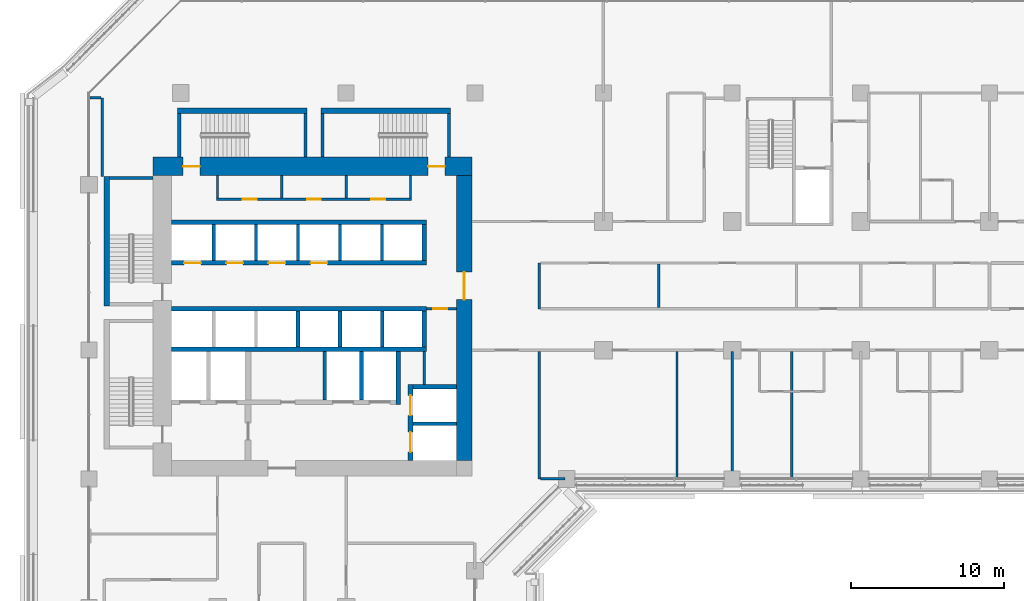
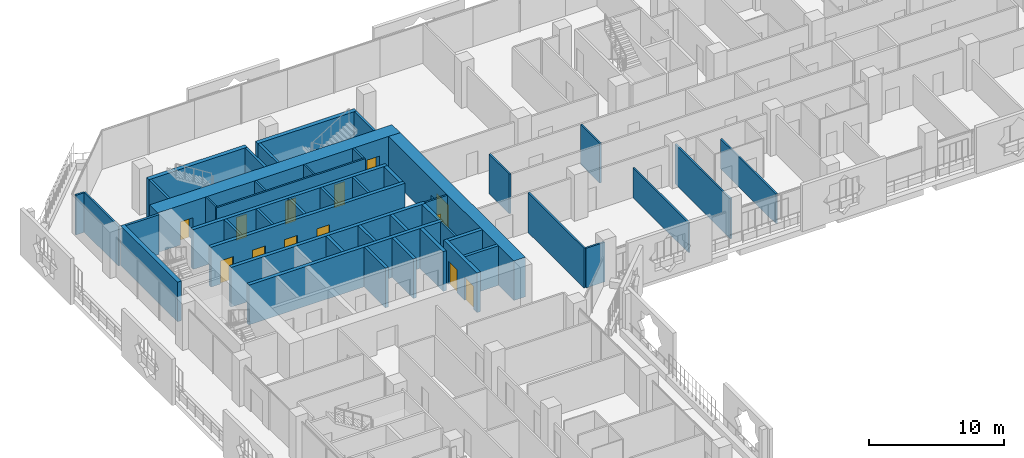
# One storey, part 14 of 25: 46 walls, 13 doors, 13 openings.
"""IFC4 building model written with IfcOpenShell, lengths in metres."""

from ifc_helpers import new_model, si_unit, direction, frame, frame_2d, origin, place, context, subcontext, project, spatial, rectangle, extrude, material, layer, layer_set, type_object, element, fill, save


model = new_model("IFC4")

# Units and contexts
model_context = context("Model", 3, precision=1e-05, world=origin(), true_north=direction((0.0, 1.0)))
body_context = subcontext(model_context, "Body", "Model", "MODEL_VIEW")
ifc_project = project(units=[si_unit("LENGTHUNIT", "METRE"), si_unit("AREAUNIT", "SQUARE_METRE"), si_unit("VOLUMEUNIT", "CUBIC_METRE"), si_unit("PLANEANGLEUNIT", "RADIAN"), si_unit("MASSUNIT", "GRAM", prefix="KILO")], contexts=[model_context])

# Site, building, storey
site_placement = place(None, origin())
site = spatial("IfcSite", under=ifc_project, at=site_placement, CompositionType="ELEMENT")
building_placement = place(site_placement, origin())
building = spatial("IfcBuilding", under=site, at=building_placement, Name="Kawkab Arch Medical Tower", CompositionType="ELEMENT")
storey_placement = place(building_placement, frame((0.0, 0.0, 124.0)))
storey = spatial("IfcBuildingStorey", under=building, at=storey_placement, Name="L28", CompositionType="ELEMENT", Elevation=124.0)

# Wall, opening, door
ifc_material_1 = material(Name="Concrete C60/75", Category="concrete")
ifc_layer_1 = layer(ifc_material_1, 1.0)
ifc_layer_set_1 = layer_set([ifc_layer_1], Name="Concrete C60/75")
wall_type_1 = type_object("IfcWallType", Name="Core ring wall 1000 C60/75", PredefinedType="SHEAR", material=ifc_layer_set_1)
wall_1_placement = place(storey_placement, frame((24.5, -24.0, 0.0), z_axis=(0.0, 0.0, 1.0), x_axis=(0.0, 1.0, 0.0)))
wall_1 = element("IfcWall", 1, at=wall_1_placement, inside=storey, type_object=wall_type_1, Name="L28 core wall", PredefinedType="SHEAR", context=body_context, shape_type="SweptSolid", body=[
    extrude(rectangle(XDim=18.60009765625, YDim=1.0, at=frame_2d((9.300048828125, 0.0))), origin(), (0.0, 0.0, 1.0), 3.60009765625),
])
opening_1_placement = place(wall_1_placement, frame((10.5, 0.0, 0.0)))
opening_1 = element("IfcOpeningElement", 2, at=opening_1_placement, cuts=wall_1, Name="Opening PD", PredefinedType="OPENING", context=body_context, shape_type="SweptSolid", body=[
    extrude(rectangle(XDim=1.800048828125, YDim=2.10009765625, at=frame_2d((0.89990234375, 1.050048828125))), frame((0.0, 0.510009765625, 0.0), z_axis=(0.0, -1.0, 0.0), x_axis=(1.0, 0.0, 0.0)), (0.0, 0.0, 1.0), 1.02001953125),
])
ifc_material_2 = material(Name="Hollow metal fire door leaf")
door_type_1 = type_object("IfcDoorType", Name="Core entrance doors 1800", OperationType="DOUBLE_DOOR_SINGLE_SWING", PredefinedType="DOOR", material=ifc_material_2)
door_1_placement = place(opening_1_placement, origin())
door_1 = element("IfcDoor", 3, at=door_1_placement, inside=storey, type_object=door_type_1, Name="L28 East entrance doors", OperationType="DOUBLE_DOOR_SINGLE_SWING", OverallHeight=2.10009765625, OverallWidth=1.800048828125, PredefinedType="DOOR", context=body_context, shape_type="SweptSolid", body=[
    extrude(rectangle(XDim=1.800048828125, YDim=2.10009765625, at=frame_2d((0.89990234375, 1.050048828125))), frame((0.0, 0.02490234375, 0.0), z_axis=(0.0, -1.0, 0.0), x_axis=(1.0, 0.0, 0.0)), (0.0, 0.0, 1.0), 0.050048828125),
])
fill(opening_1, door_1)

# Wall, openings, doors
ifc_material_3 = material(Name="Concrete C60/75", Category="concrete")
ifc_layer_2 = layer(ifc_material_3, 1.199951171875)
ifc_layer_set_2 = layer_set([ifc_layer_2], Name="Concrete C60/75")
wall_type_2 = type_object("IfcWallType", Name="Core ring wall 1200 C60/75", PredefinedType="SHEAR", material=ifc_layer_set_2)
wall_2_placement = place(storey_placement, frame((4.199951171875, -4.800048828125, 0.0), z_axis=(0.0, 0.0, 1.0), x_axis=(1.0, 0.0, 0.0)))
wall_2 = element("IfcWall", 4, at=wall_2_placement, inside=storey, type_object=wall_type_2, Name="L28 core wall", PredefinedType="SHEAR", context=body_context, shape_type="SweptSolid", body=[
    extrude(rectangle(XDim=20.800048828125, YDim=1.199951171875, at=frame_2d((10.39990234375, 0.0))), origin(), (0.0, 0.0, 1.0), 3.60009765625),
])
opening_2_placement = place(wall_2_placement, frame((1.949951171875, 0.0, 0.0)))
opening_2 = element("IfcOpeningElement", 5, at=opening_2_placement, cuts=wall_2, Name="Opening SD", PredefinedType="OPENING", context=body_context, shape_type="SweptSolid", body=[
    extrude(rectangle(XDim=1.10009765625, YDim=2.10009765625, at=frame_2d((0.550048828125, 1.050048828125))), frame((0.0, 0.60986328125, 0.0), z_axis=(0.0, -1.0, 0.0), x_axis=(1.0, 0.0, 0.0)), (0.0, 0.0, 1.0), 1.219970703125),
])
opening_3_placement = place(wall_2_placement, frame((17.949951171875, 0.0, 0.0)))
opening_3 = element("IfcOpeningElement", 6, at=opening_3_placement, cuts=wall_2, Name="Opening SD", PredefinedType="OPENING", context=body_context, shape_type="SweptSolid", body=[
    extrude(rectangle(XDim=1.10009765625, YDim=2.10009765625, at=frame_2d((0.550048828125, 1.050048828125))), frame((0.0, 0.60986328125, 0.0), z_axis=(0.0, -1.0, 0.0), x_axis=(1.0, 0.0, 0.0)), (0.0, 0.0, 1.0), 1.219970703125),
])
ifc_material_4 = material(Name="Hollow metal fire door leaf")
door_type_2 = type_object("IfcDoorType", Name="Exit stair door 1100", OperationType="SINGLE_SWING_LEFT", PredefinedType="DOOR", material=ifc_material_4)
door_2_placement = place(opening_2_placement, origin())
door_2 = element("IfcDoor", 7, at=door_2_placement, inside=storey, type_object=door_type_2, Name="L28 Exit stair ST3 door", OperationType="SINGLE_SWING_LEFT", OverallHeight=2.10009765625, OverallWidth=1.10009765625, PredefinedType="DOOR", context=body_context, shape_type="SweptSolid", body=[
    extrude(rectangle(XDim=1.10009765625, YDim=2.10009765625, at=frame_2d((0.550048828125, 1.050048828125))), frame((0.0, 0.02490234375, 0.0), z_axis=(0.0, -1.0, 0.0), x_axis=(1.0, 0.0, 0.0)), (0.0, 0.0, 1.0), 0.050048828125),
])
fill(opening_2, door_2)
door_3_placement = place(opening_3_placement, origin())
door_3 = element("IfcDoor", 8, at=door_3_placement, inside=storey, type_object=door_type_2, Name="L28 Exit stair ST4 door", OperationType="SINGLE_SWING_LEFT", OverallHeight=2.10009765625, OverallWidth=1.10009765625, PredefinedType="DOOR", context=body_context, shape_type="SweptSolid", body=[
    extrude(rectangle(XDim=1.10009765625, YDim=2.10009765625, at=frame_2d((0.550048828125, 1.050048828125))), frame((0.0, 0.02490234375, 0.0), z_axis=(0.0, -1.0, 0.0), x_axis=(1.0, 0.0, 0.0)), (0.0, 0.0, 1.0), 0.050048828125),
])
fill(opening_3, door_3)

# Wall
ifc_material_5 = material(Name="Gypsum board on steel studs", Category="steel")
ifc_layer_3 = layer(ifc_material_5, 0.14990234375)
ifc_layer_set_3 = layer_set([ifc_layer_3], Name="Gypsum board on steel studs")
wall_type_3 = type_object("IfcWallType", Name="Core room partition 150", PredefinedType="PARTITIONING", material=ifc_layer_set_3)
wall_3_placement = place(storey_placement, frame((21.89990234375, -19.050048828125, 0.0), z_axis=(0.0, 0.0, 1.0), x_axis=(0.0, 1.0, 0.0)))
element("IfcWall", 9, at=wall_3_placement, inside=storey, type_object=wall_type_3, Name="L28 core room partition", PredefinedType="PARTITIONING", context=body_context, shape_type="SweptSolid", body=[
    extrude(rectangle(XDim=2.150146484375, YDim=0.14990234375, at=frame_2d((1.0751953125, 0.0))), origin(), (0.0, 0.0, 1.0), 3.60009765625),
])

# Wall, opening, door
wall_4_placement = place(storey_placement, frame((22.050048828125, -14.10009765625, 0.0), z_axis=(0.0, 0.0, 1.0), x_axis=(1.0, 0.0, 0.0)))
wall_4 = element("IfcWall", 10, at=wall_4_placement, inside=storey, type_object=wall_type_3, Name="L28 core room partition", PredefinedType="PARTITIONING", context=body_context, shape_type="SweptSolid", body=[
    extrude(rectangle(XDim=1.949951171875, YDim=0.14990234375, at=frame_2d((0.97509765625, 0.0))), origin(), (0.0, 0.0, 1.0), 3.60009765625),
])
opening_4_placement = place(wall_4_placement, frame((0.449951171875, 0.0, 0.0)))
opening_4 = element("IfcOpeningElement", 11, at=opening_4_placement, cuts=wall_4, Name="Opening RD", PredefinedType="OPENING", context=body_context, shape_type="SweptSolid", body=[
    extrude(rectangle(XDim=0.89990234375, YDim=2.10009765625, at=frame_2d((0.449951171875, 1.050048828125))), frame((0.0, 0.0849609375, 0.0), z_axis=(0.0, -1.0, 0.0), x_axis=(1.0, 0.0, 0.0)), (0.0, 0.0, 1.0), 0.169921875),
])
ifc_material_6 = material(Name="Hollow metal fire door leaf")
door_type_3 = type_object("IfcDoorType", Name="Core room door 900", OperationType="SINGLE_SWING_LEFT", PredefinedType="DOOR", material=ifc_material_6)
door_4_placement = place(opening_4_placement, origin())
door_4 = element("IfcDoor", 12, at=door_4_placement, inside=storey, type_object=door_type_3, Name="L28 Housekeeping store door", OperationType="SINGLE_SWING_LEFT", OverallHeight=2.10009765625, OverallWidth=0.89990234375, PredefinedType="DOOR", context=body_context, shape_type="SweptSolid", body=[
    extrude(rectangle(XDim=0.89990234375, YDim=2.10009765625, at=frame_2d((0.449951171875, 1.050048828125))), frame((0.0, 0.02490234375, 0.0), z_axis=(0.0, -1.0, 0.0), x_axis=(1.0, 0.0, 0.0)), (0.0, 0.0, 1.0), 0.050048828125),
])
fill(opening_4, door_4)

# Wall, openings, doors
wall_5_placement = place(storey_placement, frame((8.324951171875, -6.949951171875, 0.0), z_axis=(0.0, 0.0, 1.0), x_axis=(1.0, 0.0, 0.0)))
wall_5 = element("IfcWall", 13, at=wall_5_placement, inside=storey, type_object=wall_type_3, Name="L28 core room partition", PredefinedType="PARTITIONING", context=body_context, shape_type="SweptSolid", body=[
    extrude(rectangle(XDim=12.75, YDim=0.14990234375, at=frame_2d((6.375, 0.0))), origin(), (0.0, 0.0, 1.0), 3.60009765625),
])
opening_5_placement = place(wall_5_placement, frame((1.72509765625, 0.0, 0.0)))
opening_5 = element("IfcOpeningElement", 14, at=opening_5_placement, cuts=wall_5, Name="Opening RD", PredefinedType="OPENING", context=body_context, shape_type="SweptSolid", body=[
    extrude(rectangle(XDim=0.89990234375, YDim=2.10009765625, at=frame_2d((0.449951171875, 1.050048828125))), frame((0.0, 0.0849609375, 0.0), z_axis=(0.0, -1.0, 0.0), x_axis=(1.0, 0.0, 0.0)), (0.0, 0.0, 1.0), 0.169921875),
])
opening_6_placement = place(wall_5_placement, frame((5.925048828125, 0.0, 0.0)))
opening_6 = element("IfcOpeningElement", 15, at=opening_6_placement, cuts=wall_5, Name="Opening RD", PredefinedType="OPENING", context=body_context, shape_type="SweptSolid", body=[
    extrude(rectangle(XDim=0.89990234375, YDim=2.10009765625, at=frame_2d((0.449951171875, 1.050048828125))), frame((0.0, 0.0849609375, 0.0), z_axis=(0.0, -1.0, 0.0), x_axis=(1.0, 0.0, 0.0)), (0.0, 0.0, 1.0), 0.169921875),
])
opening_7_placement = place(wall_5_placement, frame((10.125, 0.0, 0.0)))
opening_7 = element("IfcOpeningElement", 16, at=opening_7_placement, cuts=wall_5, Name="Opening RD", PredefinedType="OPENING", context=body_context, shape_type="SweptSolid", body=[
    extrude(rectangle(XDim=0.89990234375, YDim=2.10009765625, at=frame_2d((0.449951171875, 1.050048828125))), frame((0.0, 0.0849609375, 0.0), z_axis=(0.0, -1.0, 0.0), x_axis=(1.0, 0.0, 0.0)), (0.0, 0.0, 1.0), 0.169921875),
])
door_5_placement = place(opening_5_placement, origin())
door_5 = element("IfcDoor", 17, at=door_5_placement, inside=storey, type_object=door_type_3, Name="L28 Sprinkler valve room door", OperationType="SINGLE_SWING_LEFT", OverallHeight=2.10009765625, OverallWidth=0.89990234375, PredefinedType="DOOR", context=body_context, shape_type="SweptSolid", body=[
    extrude(rectangle(XDim=0.89990234375, YDim=2.10009765625, at=frame_2d((0.449951171875, 1.050048828125))), frame((0.0, 0.02490234375, 0.0), z_axis=(0.0, -1.0, 0.0), x_axis=(1.0, 0.0, 0.0)), (0.0, 0.0, 1.0), 0.050048828125),
])
fill(opening_5, door_5)
door_6_placement = place(opening_6_placement, origin())
door_6 = element("IfcDoor", 18, at=door_6_placement, inside=storey, type_object=door_type_3, Name="L28 Data room door", OperationType="SINGLE_SWING_LEFT", OverallHeight=2.10009765625, OverallWidth=0.89990234375, PredefinedType="DOOR", context=body_context, shape_type="SweptSolid", body=[
    extrude(rectangle(XDim=0.89990234375, YDim=2.10009765625, at=frame_2d((0.449951171875, 1.050048828125))), frame((0.0, 0.02490234375, 0.0), z_axis=(0.0, -1.0, 0.0), x_axis=(1.0, 0.0, 0.0)), (0.0, 0.0, 1.0), 0.050048828125),
])
fill(opening_6, door_6)
door_7_placement = place(opening_7_placement, origin())
door_7 = element("IfcDoor", 19, at=door_7_placement, inside=storey, type_object=door_type_3, Name="L28 Electrical riser room door", OperationType="SINGLE_SWING_LEFT", OverallHeight=2.10009765625, OverallWidth=0.89990234375, PredefinedType="DOOR", context=body_context, shape_type="SweptSolid", body=[
    extrude(rectangle(XDim=0.89990234375, YDim=2.10009765625, at=frame_2d((0.449951171875, 1.050048828125))), frame((0.0, 0.02490234375, 0.0), z_axis=(0.0, -1.0, 0.0), x_axis=(1.0, 0.0, 0.0)), (0.0, 0.0, 1.0), 0.050048828125),
])
fill(opening_7, door_7)

# Walls
for number, where, z_axis, x_axis, name in (
    (20, (8.39990234375, -6.875, 0.0), (0.0, 0.0, 1.0), (0.0, 1.0, 0.0), "L28 core room partition"),
    (21, (12.60009765625, -6.875, 0.0), (0.0, 0.0, 1.0), (0.0, 1.0, 0.0), "L28 core room partition"),
    (22, (16.800048828125, -6.875, 0.0), (0.0, 0.0, 1.0), (0.0, 1.0, 0.0), "L28 core room partition"),
    (23, (21.0, -6.875, 0.0), (0.0, 0.0, 1.0), (0.0, 1.0, 0.0), "L28 core room partition"),
):
    element("IfcWall", number, at=place(storey_placement, frame(where, z_axis=z_axis, x_axis=x_axis)), inside=storey, type_object=wall_type_3, Name=name, PredefinedType="PARTITIONING", context=body_context, shape_type="SweptSolid", body=[
        extrude(rectangle(XDim=1.47509765625, YDim=0.14990234375, at=frame_2d((0.737548828125, 0.0))), origin(), (0.0, 0.0, 1.0), 3.60009765625),
    ])
ifc_material_7 = material(Name="Concrete C60/75", Category="concrete")
ifc_layer_4 = layer(ifc_material_7, 0.25)
ifc_layer_set_4 = layer_set([ifc_layer_4], Name="Concrete C60/75")
wall_type_4 = type_object("IfcWallType", Name="Core shear wall 250 C60/75", PredefinedType="SHEAR", material=ifc_layer_set_4)
wall_6_placement = place(storey_placement, frame((21.14990234375, -21.60009765625, 0.0), z_axis=(0.0, 0.0, 1.0), x_axis=(1.0, 0.0, 0.0)))
element("IfcWall", 24, at=wall_6_placement, inside=storey, type_object=wall_type_4, Name="L28 core shear wall", PredefinedType="SHEAR", context=body_context, shape_type="SweptSolid", body=[
    extrude(rectangle(XDim=2.85009765625, YDim=0.25, at=frame_2d((1.425048828125, 0.0))), origin(), (0.0, 0.0, 1.0), 3.60009765625),
])
for number, where, z_axis, x_axis, name in (
    (25, (15.39990234375, -20.050048828125, 0.0), (0.0, 0.0, 1.0), (0.0, 1.0, 0.0), "L28 core shear wall"),
    (26, (17.800048828125, -20.050048828125, 0.0), (0.0, 0.0, 1.0), (0.0, 1.0, 0.0), "L28 core shear wall"),
):
    element("IfcWall", number, at=place(storey_placement, frame(where, z_axis=z_axis, x_axis=x_axis)), inside=storey, type_object=wall_type_4, Name=name, PredefinedType="SHEAR", context=body_context, shape_type="SweptSolid", body=[
        extrude(rectangle(XDim=3.150146484375, YDim=0.25, at=frame_2d((1.5751953125, 0.0))), origin(), (0.0, 0.0, 1.0), 3.60009765625),
    ])
for number, where, z_axis, x_axis, name in (
    (27, (13.64990234375, -16.60009765625, 0.0), (0.0, 0.0, 1.0), (0.0, 1.0, 0.0), "L28 core shear wall"),
    (28, (16.39990234375, -16.60009765625, 0.0), (0.0, 0.0, 1.0), (0.0, 1.0, 0.0), "L28 core shear wall"),
    (29, (19.14990234375, -16.60009765625, 0.0), (0.0, 0.0, 1.0), (0.0, 1.0, 0.0), "L28 core shear wall"),
):
    element("IfcWall", number, at=place(storey_placement, frame(where, z_axis=z_axis, x_axis=x_axis)), inside=storey, type_object=wall_type_4, Name=name, PredefinedType="SHEAR", context=body_context, shape_type="SweptSolid", body=[
        extrude(rectangle(XDim=2.35009765625, YDim=0.25, at=frame_2d((1.175048828125, 0.0))), origin(), (0.0, 0.0, 1.0), 3.60009765625),
    ])
ifc_material_8 = material(Name="Concrete C60/75", Category="concrete")
ifc_layer_5 = layer(ifc_material_8, 0.300048828125)
ifc_layer_set_5 = layer_set([ifc_layer_5], Name="Concrete C60/75")
wall_type_5 = type_object("IfcWallType", Name="Core shear wall 300 C60/75", PredefinedType="SHEAR", material=ifc_layer_set_5)
wall_7_placement = place(storey_placement, frame((5.39990234375, -8.449951171875, 0.0), z_axis=(0.0, 0.0, 1.0), x_axis=(1.0, 0.0, 0.0)))
element("IfcWall", 30, at=wall_7_placement, inside=storey, type_object=wall_type_5, Name="L28 core shear wall", PredefinedType="SHEAR", context=body_context, shape_type="SweptSolid", body=[
    extrude(rectangle(XDim=16.650146484375, YDim=0.300048828125, at=frame_2d((8.3251953125, 0.0))), origin(), (0.0, 0.0, 1.0), 3.60009765625),
])

# Wall, openings, doors
wall_8_placement = place(storey_placement, frame((5.39990234375, -11.10009765625, 0.0), z_axis=(0.0, 0.0, 1.0), x_axis=(1.0, 0.0, 0.0)))
wall_8 = element("IfcWall", 31, at=wall_8_placement, inside=storey, type_object=wall_type_5, Name="L28 core shear wall", PredefinedType="SHEAR", context=body_context, shape_type="SweptSolid", body=[
    extrude(rectangle(XDim=16.650146484375, YDim=0.300048828125, at=frame_2d((8.3251953125, 0.0))), origin(), (0.0, 0.0, 1.0), 3.60009765625),
])
opening_8_placement = place(wall_8_placement, frame((0.824951171875, 0.0, 0.0)))
opening_8 = element("IfcOpeningElement", 32, at=opening_8_placement, cuts=wall_8, Name="Opening LD1", PredefinedType="OPENING", context=body_context, shape_type="SweptSolid", body=[
    extrude(rectangle(XDim=1.10009765625, YDim=2.10009765625, at=frame_2d((0.550048828125, 1.050048828125))), frame((0.0, 0.159912109375, 0.0), z_axis=(0.0, -1.0, 0.0), x_axis=(1.0, 0.0, 0.0)), (0.0, 0.0, 1.0), 0.320068359375),
])
opening_9_placement = place(wall_8_placement, frame((3.574951171875, 0.0, 0.0)))
opening_9 = element("IfcOpeningElement", 33, at=opening_9_placement, cuts=wall_8, Name="Opening LD1", PredefinedType="OPENING", context=body_context, shape_type="SweptSolid", body=[
    extrude(rectangle(XDim=1.10009765625, YDim=2.10009765625, at=frame_2d((0.550048828125, 1.050048828125))), frame((0.0, 0.159912109375, 0.0), z_axis=(0.0, -1.0, 0.0), x_axis=(1.0, 0.0, 0.0)), (0.0, 0.0, 1.0), 0.320068359375),
])
opening_10_placement = place(wall_8_placement, frame((6.324951171875, 0.0, 0.0)))
opening_10 = element("IfcOpeningElement", 34, at=opening_10_placement, cuts=wall_8, Name="Opening LD1", PredefinedType="OPENING", context=body_context, shape_type="SweptSolid", body=[
    extrude(rectangle(XDim=1.10009765625, YDim=2.10009765625, at=frame_2d((0.550048828125, 1.050048828125))), frame((0.0, 0.159912109375, 0.0), z_axis=(0.0, -1.0, 0.0), x_axis=(1.0, 0.0, 0.0)), (0.0, 0.0, 1.0), 0.320068359375),
])
opening_11_placement = place(wall_8_placement, frame((9.074951171875, 0.0, 0.0)))
opening_11 = element("IfcOpeningElement", 35, at=opening_11_placement, cuts=wall_8, Name="Opening LD1", PredefinedType="OPENING", context=body_context, shape_type="SweptSolid", body=[
    extrude(rectangle(XDim=1.10009765625, YDim=2.10009765625, at=frame_2d((0.550048828125, 1.050048828125))), frame((0.0, 0.159912109375, 0.0), z_axis=(0.0, -1.0, 0.0), x_axis=(1.0, 0.0, 0.0)), (0.0, 0.0, 1.0), 0.320068359375),
])
ifc_material_9 = material(Name="Stainless steel lift door leaf", Category="steel")
door_type_4 = type_object("IfcDoorType", Name="Lift landing door 1100", OperationType="DOUBLE_DOOR_SLIDING", PredefinedType="DOOR", material=ifc_material_9)
door_8_placement = place(opening_8_placement, origin())
door_8 = element("IfcDoor", 36, at=door_8_placement, inside=storey, type_object=door_type_4, Name="L28 Lift landing door LP1", OperationType="DOUBLE_DOOR_SLIDING", OverallHeight=2.10009765625, OverallWidth=1.10009765625, PredefinedType="DOOR", context=body_context, shape_type="SweptSolid", body=[
    extrude(rectangle(XDim=1.10009765625, YDim=2.10009765625, at=frame_2d((0.550048828125, 1.050048828125))), frame((0.0, 0.02490234375, 0.0), z_axis=(0.0, -1.0, 0.0), x_axis=(1.0, 0.0, 0.0)), (0.0, 0.0, 1.0), 0.050048828125),
])
fill(opening_8, door_8)
door_9_placement = place(opening_9_placement, origin())
door_9 = element("IfcDoor", 37, at=door_9_placement, inside=storey, type_object=door_type_4, Name="L28 Lift landing door LP2", OperationType="DOUBLE_DOOR_SLIDING", OverallHeight=2.10009765625, OverallWidth=1.10009765625, PredefinedType="DOOR", context=body_context, shape_type="SweptSolid", body=[
    extrude(rectangle(XDim=1.10009765625, YDim=2.10009765625, at=frame_2d((0.550048828125, 1.050048828125))), frame((0.0, 0.02490234375, 0.0), z_axis=(0.0, -1.0, 0.0), x_axis=(1.0, 0.0, 0.0)), (0.0, 0.0, 1.0), 0.050048828125),
])
fill(opening_9, door_9)
door_10_placement = place(opening_10_placement, origin())
door_10 = element("IfcDoor", 38, at=door_10_placement, inside=storey, type_object=door_type_4, Name="L28 Lift landing door LP3", OperationType="DOUBLE_DOOR_SLIDING", OverallHeight=2.10009765625, OverallWidth=1.10009765625, PredefinedType="DOOR", context=body_context, shape_type="SweptSolid", body=[
    extrude(rectangle(XDim=1.10009765625, YDim=2.10009765625, at=frame_2d((0.550048828125, 1.050048828125))), frame((0.0, 0.02490234375, 0.0), z_axis=(0.0, -1.0, 0.0), x_axis=(1.0, 0.0, 0.0)), (0.0, 0.0, 1.0), 0.050048828125),
])
fill(opening_10, door_10)
door_11_placement = place(opening_11_placement, origin())
door_11 = element("IfcDoor", 39, at=door_11_placement, inside=storey, type_object=door_type_4, Name="L28 Lift landing door LP4", OperationType="DOUBLE_DOOR_SLIDING", OverallHeight=2.10009765625, OverallWidth=1.10009765625, PredefinedType="DOOR", context=body_context, shape_type="SweptSolid", body=[
    extrude(rectangle(XDim=1.10009765625, YDim=2.10009765625, at=frame_2d((0.550048828125, 1.050048828125))), frame((0.0, 0.02490234375, 0.0), z_axis=(0.0, -1.0, 0.0), x_axis=(1.0, 0.0, 0.0)), (0.0, 0.0, 1.0), 0.050048828125),
])
fill(opening_11, door_11)

# Walls
for number, where, z_axis, x_axis, name in (
    (40, (5.39990234375, -14.10009765625, 0.0), (0.0, 0.0, 1.0), (1.0, 0.0, 0.0), "L28 core shear wall"),
    (41, (5.39990234375, -16.75, 0.0), (0.0, 0.0, 1.0), (1.0, 0.0, 0.0), "L28 core shear wall"),
):
    element("IfcWall", number, at=place(storey_placement, frame(where, z_axis=z_axis, x_axis=x_axis)), inside=storey, type_object=wall_type_5, Name=name, PredefinedType="SHEAR", context=body_context, shape_type="SweptSolid", body=[
        extrude(rectangle(XDim=16.650146484375, YDim=0.300048828125, at=frame_2d((8.3251953125, 0.0))), origin(), (0.0, 0.0, 1.0), 3.60009765625),
    ])
wall_9_placement = place(storey_placement, frame((20.199951171875, -20.35009765625, 0.0), z_axis=(0.0, 0.0, 1.0), x_axis=(0.0, 1.0, 0.0)))
element("IfcWall", 42, at=wall_9_placement, inside=storey, type_object=wall_type_5, Name="L28 core shear wall", PredefinedType="SHEAR", context=body_context, shape_type="SweptSolid", body=[
    extrude(rectangle(XDim=3.4501953125, YDim=0.300048828125, at=frame_2d((1.72509765625, 0.0))), origin(), (0.0, 0.0, 1.0), 3.60009765625),
])
wall_10_placement = place(storey_placement, frame((21.89990234375, -10.949951171875, 0.0), z_axis=(0.0, 0.0, 1.0), x_axis=(0.0, 1.0, 0.0)))
element("IfcWall", 43, at=wall_10_placement, inside=storey, type_object=wall_type_5, Name="L28 core shear wall", PredefinedType="SHEAR", context=body_context, shape_type="SweptSolid", body=[
    extrude(rectangle(XDim=2.349853515625, YDim=0.300048828125, at=frame_2d((1.1748046875, 0.0))), origin(), (0.0, 0.0, 1.0), 3.60009765625),
])
wall_11_placement = place(storey_placement, frame((21.89990234375, -16.60009765625, 0.0), z_axis=(0.0, 0.0, 1.0), x_axis=(0.0, 1.0, 0.0)))
element("IfcWall", 44, at=wall_11_placement, inside=storey, type_object=wall_type_5, Name="L28 core shear wall", PredefinedType="SHEAR", context=body_context, shape_type="SweptSolid", body=[
    extrude(rectangle(XDim=2.35009765625, YDim=0.300048828125, at=frame_2d((1.175048828125, 0.0))), origin(), (0.0, 0.0, 1.0), 3.60009765625),
])
wall_12_placement = place(storey_placement, frame((21.14990234375, -19.199951171875, 0.0), z_axis=(0.0, 0.0, 1.0), x_axis=(1.0, 0.0, 0.0)))
element("IfcWall", 45, at=wall_12_placement, inside=storey, type_object=wall_type_5, Name="L28 core shear wall", PredefinedType="SHEAR", context=body_context, shape_type="SweptSolid", body=[
    extrude(rectangle(XDim=2.85009765625, YDim=0.300048828125, at=frame_2d((1.425048828125, 0.0))), origin(), (0.0, 0.0, 1.0), 3.60009765625),
])

# Wall, openings, doors
wall_13_placement = place(storey_placement, frame((21.0, -24.0, 0.0), z_axis=(0.0, 0.0, 1.0), x_axis=(0.0, 1.0, 0.0)))
wall_13 = element("IfcWall", 46, at=wall_13_placement, inside=storey, type_object=wall_type_5, Name="L28 core shear wall", PredefinedType="SHEAR", context=body_context, shape_type="SweptSolid", body=[
    extrude(rectangle(XDim=4.949951171875, YDim=0.300048828125, at=frame_2d((2.47509765625, 0.0))), origin(), (0.0, 0.0, 1.0), 3.60009765625),
])
opening_12_placement = place(wall_13_placement, frame((2.949951171875, 0.0, 0.0)))
opening_12 = element("IfcOpeningElement", 47, at=opening_12_placement, cuts=wall_13, Name="Opening LD2", PredefinedType="OPENING", context=body_context, shape_type="SweptSolid", body=[
    extrude(rectangle(XDim=1.300048828125, YDim=2.10009765625, at=frame_2d((0.64990234375, 1.050048828125))), frame((0.0, 0.159912109375, 0.0), z_axis=(0.0, -1.0, 0.0), x_axis=(1.0, 0.0, 0.0)), (0.0, 0.0, 1.0), 0.320068359375),
])
opening_13_placement = place(wall_13_placement, frame((0.550048828125, 0.0, 0.0)))
opening_13 = element("IfcOpeningElement", 48, at=opening_13_placement, cuts=wall_13, Name="Opening LD2", PredefinedType="OPENING", context=body_context, shape_type="SweptSolid", body=[
    extrude(rectangle(XDim=1.300048828125, YDim=2.10009765625, at=frame_2d((0.64990234375, 1.050048828125))), frame((0.0, 0.159912109375, 0.0), z_axis=(0.0, -1.0, 0.0), x_axis=(1.0, 0.0, 0.0)), (0.0, 0.0, 1.0), 0.320068359375),
])
ifc_material_10 = material(Name="Stainless steel lift door leaf", Category="steel")
door_type_5 = type_object("IfcDoorType", Name="Lift landing door 1300", OperationType="DOUBLE_DOOR_SLIDING", PredefinedType="DOOR", material=ifc_material_10)
door_12_placement = place(opening_12_placement, origin())
door_12 = element("IfcDoor", 49, at=door_12_placement, inside=storey, type_object=door_type_5, Name="L28 Lift landing door BD1", OperationType="DOUBLE_DOOR_SLIDING", OverallHeight=2.10009765625, OverallWidth=1.300048828125, PredefinedType="DOOR", context=body_context, shape_type="SweptSolid", body=[
    extrude(rectangle(XDim=1.300048828125, YDim=2.10009765625, at=frame_2d((0.64990234375, 1.050048828125))), frame((0.0, 0.02490234375, 0.0), z_axis=(0.0, -1.0, 0.0), x_axis=(1.0, 0.0, 0.0)), (0.0, 0.0, 1.0), 0.050048828125),
])
fill(opening_12, door_12)
door_13_placement = place(opening_13_placement, origin())
door_13 = element("IfcDoor", 50, at=door_13_placement, inside=storey, type_object=door_type_5, Name="L28 Lift landing door BD2", OperationType="DOUBLE_DOOR_SLIDING", OverallHeight=2.10009765625, OverallWidth=1.300048828125, PredefinedType="DOOR", context=body_context, shape_type="SweptSolid", body=[
    extrude(rectangle(XDim=1.300048828125, YDim=2.10009765625, at=frame_2d((0.64990234375, 1.050048828125))), frame((0.0, 0.02490234375, 0.0), z_axis=(0.0, -1.0, 0.0), x_axis=(1.0, 0.0, 0.0)), (0.0, 0.0, 1.0), 0.050048828125),
])
fill(opening_13, door_13)

# Walls
ifc_material_11 = material(Name="Dense concrete blockwork", Category="masonry")
ifc_layer_6 = layer(ifc_material_11, 0.199951171875)
ifc_layer_set_6 = layer_set([ifc_layer_6], Name="Dense concrete blockwork")
wall_type_6 = type_object("IfcWallType", Name="Lift shaft partition 200", PredefinedType="PARTITIONING", material=ifc_layer_set_6)
for number, where, z_axis, x_axis, name in (
    (51, (8.14990234375, -10.949951171875, 0.0), (0.0, 0.0, 1.0), (0.0, 1.0, 0.0), "L28 lift shaft partition"),
    (52, (10.89990234375, -10.949951171875, 0.0), (0.0, 0.0, 1.0), (0.0, 1.0, 0.0), "L28 lift shaft partition"),
    (53, (13.64990234375, -10.949951171875, 0.0), (0.0, 0.0, 1.0), (0.0, 1.0, 0.0), "L28 lift shaft partition"),
    (54, (16.39990234375, -10.949951171875, 0.0), (0.0, 0.0, 1.0), (0.0, 1.0, 0.0), "L28 lift shaft partition"),
    (55, (19.14990234375, -10.949951171875, 0.0), (0.0, 0.0, 1.0), (0.0, 1.0, 0.0), "L28 lift shaft partition"),
):
    element("IfcWall", number, at=place(storey_placement, frame(where, z_axis=z_axis, x_axis=x_axis)), inside=storey, type_object=wall_type_6, Name=name, PredefinedType="PARTITIONING", context=body_context, shape_type="SweptSolid", body=[
        extrude(rectangle(XDim=2.349853515625, YDim=0.199951171875, at=frame_2d((1.1748046875, 0.0))), origin(), (0.0, 0.0, 1.0), 3.60009765625),
    ])
ifc_material_12 = material(Name="Gypsum board partition on steel studs, mineral wool", Category="steel")
ifc_layer_7 = layer(ifc_material_12, 0.14990234375)
ifc_layer_set_7 = layer_set([ifc_layer_7], Name="Gypsum board partition on steel studs, mineral wool")
wall_type_7 = type_object("IfcWallType", Name="Partition 150", PredefinedType="PARTITIONING", material=ifc_layer_set_7)
wall_14_placement = place(storey_placement, frame((29.47509765625, -25.199951171875, 0.0), z_axis=(0.0, 0.0, 1.0), x_axis=(1.0, 0.0, 0.0)))
element("IfcWall", 56, at=wall_14_placement, inside=storey, type_object=wall_type_7, Name="Partition 150 w036", PredefinedType="PARTITIONING", context=body_context, shape_type="SweptSolid", body=[
    extrude(rectangle(XDim=1.61181640625, YDim=0.14990234375, at=frame_2d((0.805908203125, 0.0))), origin(), (0.0, 0.0, 1.0), 3.60009765625),
])
wall_15_placement = place(storey_placement, frame((0.080078125, -0.320068359375, 0.0), z_axis=(0.0, 0.0, 1.0), x_axis=(1.0, 0.0, 0.0)))
element("IfcWall", 57, at=wall_15_placement, inside=storey, type_object=wall_type_7, Name="Partition 150 w048", PredefinedType="PARTITIONING", context=body_context, shape_type="SweptSolid", body=[
    extrude(rectangle(XDim=0.722900390625, YDim=0.14990234375, at=frame_2d((0.361328125, 0.0))), origin(), (0.0, 0.0, 1.0), 3.60009765625),
])
wall_16_placement = place(storey_placement, frame((0.8798828125, -5.449951171875, 0.0), z_axis=(0.0, 0.0, 1.0), x_axis=(0.0, 1.0, 0.0)))
element("IfcWall", 58, at=wall_16_placement, inside=storey, type_object=wall_type_7, Name="Partition 150 w052", PredefinedType="PARTITIONING", context=body_context, shape_type="SweptSolid", body=[
    extrude(rectangle(XDim=5.1279296875, YDim=0.14990234375, at=frame_2d((2.56396484375, 0.0))), origin(), (0.0, 0.0, 1.0), 3.60009765625),
])
wall_17_placement = place(storey_placement, frame((29.39990234375, -25.199951171875, 0.0), z_axis=(0.0, 0.0, 1.0), x_axis=(0.0, 1.0, 0.0)))
element("IfcWall", 59, at=wall_17_placement, inside=storey, type_object=wall_type_7, Name="Partition 150 w061", PredefinedType="PARTITIONING", context=body_context, shape_type="SweptSolid", body=[
    extrude(rectangle(XDim=8.324951171875, YDim=0.14990234375, at=frame_2d((4.16259765625, 0.0))), origin(), (0.0, 0.0, 1.0), 3.60009765625),
])
wall_18_placement = place(storey_placement, frame((29.39990234375, -14.10009765625, 0.0), z_axis=(0.0, 0.0, 1.0), x_axis=(0.0, 1.0, 0.0)))
element("IfcWall", 60, at=wall_18_placement, inside=storey, type_object=wall_type_7, Name="Partition 150 w062", PredefinedType="PARTITIONING", context=body_context, shape_type="SweptSolid", body=[
    extrude(rectangle(XDim=3.0, YDim=0.14990234375, at=frame_2d((1.5, 0.0))), origin(), (0.0, 0.0, 1.0), 3.60009765625),
])
wall_19_placement = place(storey_placement, frame((37.199951171875, -14.02490234375, 0.0), z_axis=(0.0, 0.0, 1.0), x_axis=(0.0, 1.0, 0.0)))
element("IfcWall", 61, at=wall_19_placement, inside=storey, type_object=wall_type_7, Name="Partition 150 w065", PredefinedType="PARTITIONING", context=body_context, shape_type="SweptSolid", body=[
    extrude(rectangle(XDim=2.849853515625, YDim=0.14990234375, at=frame_2d((1.4248046875, 0.0))), origin(), (0.0, 0.0, 1.0), 3.60009765625),
])
wall_20_placement = place(storey_placement, frame((38.39990234375, -25.1201171875, 0.0), z_axis=(0.0, 0.0, 1.0), x_axis=(0.0, 1.0, 0.0)))
element("IfcWall", 62, at=wall_20_placement, inside=storey, type_object=wall_type_7, Name="Partition 150 w067", PredefinedType="PARTITIONING", context=body_context, shape_type="SweptSolid", body=[
    extrude(rectangle(XDim=8.2451171875, YDim=0.14990234375, at=frame_2d((4.12255859375, 0.0))), origin(), (0.0, 0.0, 1.0), 2.699951171875),
])
wall_21_placement = place(storey_placement, frame((42.0, -25.1201171875, 0.0), z_axis=(0.0, 0.0, 1.0), x_axis=(0.0, 1.0, 0.0)))
element("IfcWall", 63, at=wall_21_placement, inside=storey, type_object=wall_type_7, Name="Partition 150 w070", PredefinedType="PARTITIONING", context=body_context, shape_type="SweptSolid", body=[
    extrude(rectangle(XDim=8.2451171875, YDim=0.14990234375, at=frame_2d((4.12255859375, 0.0))), origin(), (0.0, 0.0, 1.0), 3.60009765625),
])
wall_22_placement = place(storey_placement, frame((45.89990234375, -25.1201171875, 0.0), z_axis=(0.0, 0.0, 1.0), x_axis=(0.0, 1.0, 0.0)))
element("IfcWall", 64, at=wall_22_placement, inside=storey, type_object=wall_type_7, Name="Partition 150 w071", PredefinedType="PARTITIONING", context=body_context, shape_type="SweptSolid", body=[
    extrude(rectangle(XDim=8.2451171875, YDim=0.14990234375, at=frame_2d((4.12255859375, 0.0))), origin(), (0.0, 0.0, 1.0), 2.699951171875),
])
ifc_material_13 = material(Name="Concrete C50/60", Category="concrete")
ifc_layer_8 = layer(ifc_material_13, 0.199951171875)
ifc_layer_set_8 = layer_set([ifc_layer_8], Name="Concrete C50/60")
wall_type_8 = type_object("IfcWallType", Name="Stair enclosure wall 200 C50/60", PredefinedType="SHEAR", material=ifc_layer_set_8)
for number, where, z_axis, x_axis, name in (
    (65, (1.35009765625, -5.550048828125, 0.0), (0.0, 0.0, 1.0), (1.0, 0.0, 0.0), "L28 stair enclosure wall"),
    (66, (5.89990234375, -4.199951171875, 0.0), (0.0, 0.0, 1.0), (0.0, 1.0, 0.0), "L28 stair enclosure wall"),
    (67, (14.14990234375, -4.199951171875, 0.0), (0.0, 0.0, 1.0), (0.0, 1.0, 0.0), "L28 stair enclosure wall"),
    (68, (15.25, -4.199951171875, 0.0), (0.0, 0.0, 1.0), (0.0, 1.0, 0.0), "L28 stair enclosure wall"),
    (69, (23.5, -4.199951171875, 0.0), (0.0, 0.0, 1.0), (0.0, 1.0, 0.0), "L28 stair enclosure wall"),
):
    element("IfcWall", number, at=place(storey_placement, frame(where, z_axis=z_axis, x_axis=x_axis)), inside=storey, type_object=wall_type_8, Name=name, PredefinedType="SHEAR", context=body_context, shape_type="SweptSolid", body=[
        extrude(rectangle(XDim=2.849853515625, YDim=0.199951171875, at=frame_2d((1.4248046875, 0.0))), origin(), (0.0, 0.0, 1.0), 3.60009765625),
    ])
ifc_material_14 = material(Name="Concrete C50/60", Category="concrete")
ifc_layer_9 = layer(ifc_material_14, 0.35009765625)
ifc_layer_set_9 = layer_set([ifc_layer_9], Name="Concrete C50/60")
wall_type_9 = type_object("IfcWallType", Name="Stair enclosure wall 350 C50/60", PredefinedType="SHEAR", material=ifc_layer_set_9)
for number, where, z_axis, x_axis, name in (
    (70, (1.175048828125, -13.89990234375, 0.0), (0.0, 0.0, 1.0), (0.0, 1.0, 0.0), "L28 stair enclosure wall"),
    (71, (5.800048828125, -1.175048828125, 0.0), (0.0, 0.0, 1.0), (1.0, 0.0, 0.0), "L28 stair enclosure wall"),
):
    element("IfcWall", number, at=place(storey_placement, frame(where, z_axis=z_axis, x_axis=x_axis)), inside=storey, type_object=wall_type_9, Name=name, PredefinedType="SHEAR", context=body_context, shape_type="SweptSolid", body=[
        extrude(rectangle(XDim=8.449951171875, YDim=0.35009765625, at=frame_2d((4.22509765625, 0.0))), origin(), (0.0, 0.0, 1.0), 3.60009765625),
    ])
wall_23_placement = place(storey_placement, frame((15.14990234375, -1.175048828125, 0.0), z_axis=(0.0, 0.0, 1.0), x_axis=(1.0, 0.0, 0.0)))
element("IfcWall", 72, at=wall_23_placement, inside=storey, type_object=wall_type_9, Name="L28 stair enclosure wall", PredefinedType="SHEAR", context=body_context, shape_type="SweptSolid", body=[
    extrude(rectangle(XDim=8.4501953125, YDim=0.35009765625, at=frame_2d((4.22509765625, 0.0))), origin(), (0.0, 0.0, 1.0), 3.60009765625),
])

save(model, "model.ifc")
